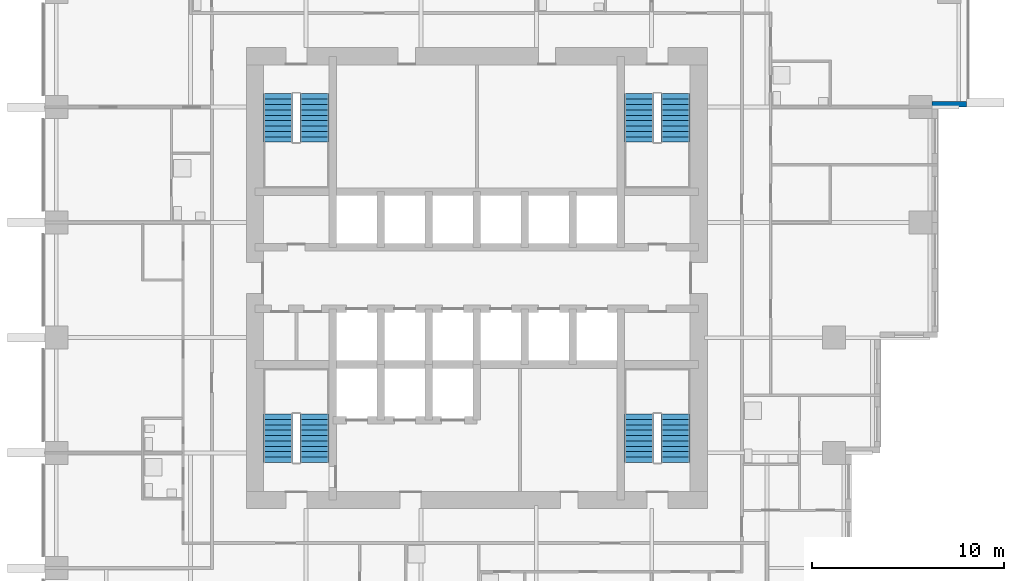
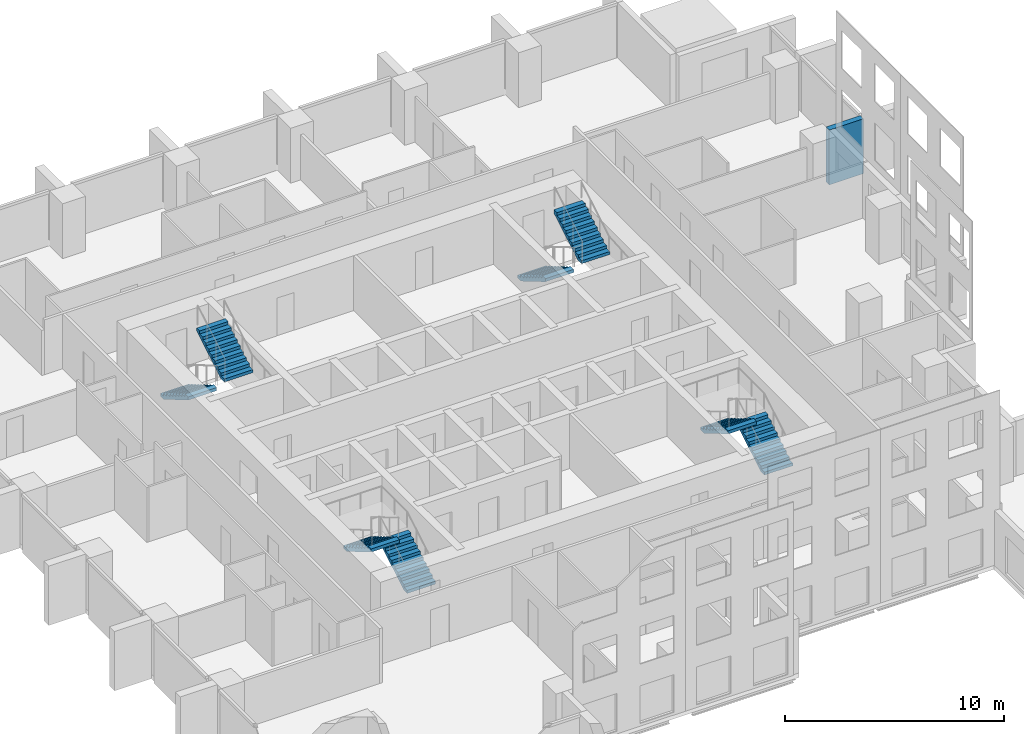
# One storey, part 8 of 11: 8 stair flights, 1 wall, 4 elements without a shape of their own.
"""IFC4 building model written with IfcOpenShell, lengths in metres."""

from ifc_helpers import new_model, si_unit, direction, frame, frame_2d, origin, place, context, subcontext, project, spatial, polyline, rectangle, outline, extrude, material, layer, layer_set, type_object, element, aggregate, save


model = new_model("IFC4")

# Units and contexts
model_context = context("Model", 3, precision=1e-05, world=origin(), true_north=direction((0.0, 1.0)))
body_context = subcontext(model_context, "Body", "Model", "MODEL_VIEW")
ifc_project = project(units=[si_unit("LENGTHUNIT", "METRE"), si_unit("AREAUNIT", "SQUARE_METRE"), si_unit("VOLUMEUNIT", "CUBIC_METRE"), si_unit("PLANEANGLEUNIT", "RADIAN"), si_unit("MASSUNIT", "GRAM", prefix="KILO")], contexts=[model_context])

# Site, building, storey
site_placement = place(None, origin())
site = spatial("IfcSite", under=ifc_project, at=site_placement, CompositionType="ELEMENT")
building_placement = place(site_placement, origin())
building = spatial("IfcBuilding", under=site, at=building_placement, Name="Amberfall Residences", CompositionType="ELEMENT")
storey_placement = place(building_placement, frame((0.0, 0.0, 33.39990234375)))
storey = spatial("IfcBuildingStorey", under=building, at=storey_placement, Name="L08", CompositionType="ELEMENT", Elevation=33.39990234375)

# Wall
ifc_material_1 = material(Name="Pale stone cladding on insulated backing", Category="masonry")
ifc_layer = layer(ifc_material_1, 0.300048828125)
ifc_layer_set = layer_set([ifc_layer], Name="Bronze clad wall 300")
wall_type = type_object("IfcWallType", Name="Bronze clad wall 300", PredefinedType="SOLIDWALL", material=ifc_layer_set)
wall_placement = place(storey_placement, frame((98.199951171875, 54.550048828125, 0.0), z_axis=(0.0, 0.0, 1.0), x_axis=(1.0, 0.0, 0.0)))
element("IfcWall", 1, at=wall_placement, inside=storey, type_object=wall_type, Name="External wall L08 E", PredefinedType="SOLIDWALL", context=body_context, shape_type="SweptSolid", body=[
    extrude(rectangle(XDim=1.800048828125, YDim=0.300048828125, at=frame_2d((0.89990234375, 0.0))), origin(), (0.0, 0.0, 1.0), 3.050048828125),
])

# Stair, stair flights
ifc_material_2 = material(Name="Concrete C40", Category="concrete")
stair_type = type_object("IfcStairType", Name="Exit stair 20 risers 165.0 mm", PredefinedType="HALF_TURN_STAIR", material=ifc_material_2)
stair_1_placement = place(storey_placement, origin())
stair_1 = element("IfcStair", 2, at=stair_1_placement, inside=storey, type_object=stair_type, Name="L08 Exit stair 1", PredefinedType="HALF_TURN_STAIR")
stair_flight_type = type_object("IfcStairFlightType", Name="Stair flight 10 risers 165.0 mm", PredefinedType="STRAIGHT", material=ifc_material_2)
stair_flight_1_placement = place(storey_placement, frame((66.050048828125, 35.89990234375, 0.0), z_axis=(0.0, 0.0, 1.0), x_axis=(0.0, 1.0, 0.0)))
stair_flight_1 = element("IfcStairFlight", 3, at=stair_flight_1_placement, type_object=stair_flight_type, Name="ST3 flight 1", NumberOfRisers=10, NumberOfTreads=9, PredefinedType="STRAIGHT", RiserHeight=0.165, TreadLength=0.28, context=body_context, shape_type="SweptSolid", body=[
    extrude(outline(polyline([(0.0, 0.0), (0.0, 0.1650390625), (0.280029296875, 0.1650390625), (0.280029296875, 0.330078125), (0.56005859375, 0.330078125), (0.56005859375, 0.4951171875), (0.840087890625, 0.4951171875), (0.840087890625, 0.659912109375), (1.1201171875, 0.659912109375), (1.1201171875, 0.824951171875), (1.39990234375, 0.824951171875), (1.39990234375, 0.989990234375), (1.679931640625, 0.989990234375), (1.679931640625, 1.155029296875), (1.9599609375, 1.155029296875), (1.9599609375, 1.320068359375), (2.239990234375, 1.320068359375), (2.239990234375, 1.485107421875), (2.52001953125, 1.485107421875), (2.52001953125, 1.64990234375), (2.52001953125, 1.31103515625), (0.295166015625, 0.0), (0.0, 0.0)])), frame((0.0, 0.75, 0.0), z_axis=(0.0, -1.0, 0.0), x_axis=(1.0, 0.0, 0.0)), (0.0, 0.0, 1.0), 1.5),
])
stair_flight_2_placement = place(storey_placement, frame((64.14990234375, 38.419921875, 1.650146484375), z_axis=(0.0, 0.0, 1.0), x_axis=(0.0, -1.0, 0.0)))
stair_flight_2 = element("IfcStairFlight", 4, at=stair_flight_2_placement, type_object=stair_flight_type, Name="ST3 flight 2", NumberOfRisers=10, NumberOfTreads=9, PredefinedType="STRAIGHT", RiserHeight=0.165, TreadLength=0.28, context=body_context, shape_type="SweptSolid", body=[
    extrude(outline(polyline([(0.0, 0.0), (0.0, 0.1650390625), (0.280029296875, 0.1650390625), (0.280029296875, 0.330078125), (0.56005859375, 0.330078125), (0.56005859375, 0.4951171875), (0.840087890625, 0.4951171875), (0.840087890625, 0.659912109375), (1.1201171875, 0.659912109375), (1.1201171875, 0.824951171875), (1.39990234375, 0.824951171875), (1.39990234375, 0.989990234375), (1.679931640625, 0.989990234375), (1.679931640625, 1.155029296875), (1.9599609375, 1.155029296875), (1.9599609375, 1.320068359375), (2.239990234375, 1.320068359375), (2.239990234375, 1.485107421875), (2.52001953125, 1.485107421875), (2.52001953125, 1.64990234375), (2.52001953125, 1.31103515625), (0.295166015625, 0.0), (0.0, 0.0)])), frame((0.0, 0.75, 0.0), z_axis=(0.0, -1.0, 0.0), x_axis=(1.0, 0.0, 0.0)), (0.0, 0.0, 1.0), 1.5),
])
aggregate(stair_1, [stair_flight_1, stair_flight_2])

stair_2_placement = place(storey_placement, origin())
stair_2 = element("IfcStair", 5, at=stair_2_placement, inside=storey, type_object=stair_type, Name="L08 Exit stair 2", PredefinedType="HALF_TURN_STAIR")
stair_flight_3_placement = place(storey_placement, frame((84.85009765625, 35.89990234375, 0.0), z_axis=(0.0, 0.0, 1.0), x_axis=(0.0, 1.0, 0.0)))
stair_flight_3 = element("IfcStairFlight", 6, at=stair_flight_3_placement, type_object=stair_flight_type, Name="ST3 flight 1", NumberOfRisers=10, NumberOfTreads=9, PredefinedType="STRAIGHT", RiserHeight=0.165, TreadLength=0.28, context=body_context, shape_type="SweptSolid", body=[
    extrude(outline(polyline([(0.0, 0.0), (0.0, 0.1650390625), (0.280029296875, 0.1650390625), (0.280029296875, 0.330078125), (0.56005859375, 0.330078125), (0.56005859375, 0.4951171875), (0.840087890625, 0.4951171875), (0.840087890625, 0.659912109375), (1.1201171875, 0.659912109375), (1.1201171875, 0.824951171875), (1.39990234375, 0.824951171875), (1.39990234375, 0.989990234375), (1.679931640625, 0.989990234375), (1.679931640625, 1.155029296875), (1.9599609375, 1.155029296875), (1.9599609375, 1.320068359375), (2.239990234375, 1.320068359375), (2.239990234375, 1.485107421875), (2.52001953125, 1.485107421875), (2.52001953125, 1.64990234375), (2.52001953125, 1.31103515625), (0.295166015625, 0.0), (0.0, 0.0)])), frame((0.0, 0.75, 0.0), z_axis=(0.0, -1.0, 0.0), x_axis=(1.0, 0.0, 0.0)), (0.0, 0.0, 1.0), 1.5),
])
stair_flight_4_placement = place(storey_placement, frame((82.949951171875, 38.419921875, 1.650146484375), z_axis=(0.0, 0.0, 1.0), x_axis=(0.0, -1.0, 0.0)))
stair_flight_4 = element("IfcStairFlight", 7, at=stair_flight_4_placement, type_object=stair_flight_type, Name="ST3 flight 2", NumberOfRisers=10, NumberOfTreads=9, PredefinedType="STRAIGHT", RiserHeight=0.165, TreadLength=0.28, context=body_context, shape_type="SweptSolid", body=[
    extrude(outline(polyline([(0.0, 0.0), (0.0, 0.1650390625), (0.280029296875, 0.1650390625), (0.280029296875, 0.330078125), (0.56005859375, 0.330078125), (0.56005859375, 0.4951171875), (0.840087890625, 0.4951171875), (0.840087890625, 0.659912109375), (1.1201171875, 0.659912109375), (1.1201171875, 0.824951171875), (1.39990234375, 0.824951171875), (1.39990234375, 0.989990234375), (1.679931640625, 0.989990234375), (1.679931640625, 1.155029296875), (1.9599609375, 1.155029296875), (1.9599609375, 1.320068359375), (2.239990234375, 1.320068359375), (2.239990234375, 1.485107421875), (2.52001953125, 1.485107421875), (2.52001953125, 1.64990234375), (2.52001953125, 1.31103515625), (0.295166015625, 0.0), (0.0, 0.0)])), frame((0.0, 0.75, 0.0), z_axis=(0.0, -1.0, 0.0), x_axis=(1.0, 0.0, 0.0)), (0.0, 0.0, 1.0), 1.5),
])
aggregate(stair_2, [stair_flight_3, stair_flight_4])

stair_3_placement = place(storey_placement, origin())
stair_3 = element("IfcStair", 8, at=stair_3_placement, inside=storey, type_object=stair_type, Name="L08 Exit stair 3", PredefinedType="HALF_TURN_STAIR")
stair_flight_5_placement = place(storey_placement, frame((82.949951171875, 55.10009765625, 0.0), z_axis=(0.0, 0.0, 1.0), x_axis=(0.0, -1.0, 0.0)))
stair_flight_5 = element("IfcStairFlight", 9, at=stair_flight_5_placement, type_object=stair_flight_type, Name="ST3 flight 1", NumberOfRisers=10, NumberOfTreads=9, PredefinedType="STRAIGHT", RiserHeight=0.165, TreadLength=0.28, context=body_context, shape_type="SweptSolid", body=[
    extrude(outline(polyline([(0.0, 0.0), (0.0, 0.1650390625), (0.280029296875, 0.1650390625), (0.280029296875, 0.330078125), (0.56005859375, 0.330078125), (0.56005859375, 0.4951171875), (0.840087890625, 0.4951171875), (0.840087890625, 0.659912109375), (1.1201171875, 0.659912109375), (1.1201171875, 0.824951171875), (1.39990234375, 0.824951171875), (1.39990234375, 0.989990234375), (1.679931640625, 0.989990234375), (1.679931640625, 1.155029296875), (1.9599609375, 1.155029296875), (1.9599609375, 1.320068359375), (2.239990234375, 1.320068359375), (2.239990234375, 1.485107421875), (2.52001953125, 1.485107421875), (2.52001953125, 1.64990234375), (2.52001953125, 1.31103515625), (0.295166015625, 0.0), (0.0, 0.0)])), frame((0.0, 0.75, 0.0), z_axis=(0.0, -1.0, 0.0), x_axis=(1.0, 0.0, 0.0)), (0.0, 0.0, 1.0), 1.5),
])
stair_flight_6_placement = place(storey_placement, frame((84.85009765625, 52.580078125, 1.650146484375), z_axis=(0.0, 0.0, 1.0), x_axis=(0.0, 1.0, 0.0)))
stair_flight_6 = element("IfcStairFlight", 10, at=stair_flight_6_placement, type_object=stair_flight_type, Name="ST3 flight 2", NumberOfRisers=10, NumberOfTreads=9, PredefinedType="STRAIGHT", RiserHeight=0.165, TreadLength=0.28, context=body_context, shape_type="SweptSolid", body=[
    extrude(outline(polyline([(0.0, 0.0), (0.0, 0.1650390625), (0.280029296875, 0.1650390625), (0.280029296875, 0.330078125), (0.56005859375, 0.330078125), (0.56005859375, 0.4951171875), (0.840087890625, 0.4951171875), (0.840087890625, 0.659912109375), (1.1201171875, 0.659912109375), (1.1201171875, 0.824951171875), (1.39990234375, 0.824951171875), (1.39990234375, 0.989990234375), (1.679931640625, 0.989990234375), (1.679931640625, 1.155029296875), (1.9599609375, 1.155029296875), (1.9599609375, 1.320068359375), (2.239990234375, 1.320068359375), (2.239990234375, 1.485107421875), (2.52001953125, 1.485107421875), (2.52001953125, 1.64990234375), (2.52001953125, 1.31103515625), (0.295166015625, 0.0), (0.0, 0.0)])), frame((0.0, 0.75, 0.0), z_axis=(0.0, -1.0, 0.0), x_axis=(1.0, 0.0, 0.0)), (0.0, 0.0, 1.0), 1.5),
])
aggregate(stair_3, [stair_flight_5, stair_flight_6])

stair_4_placement = place(storey_placement, origin())
stair_4 = element("IfcStair", 11, at=stair_4_placement, inside=storey, type_object=stair_type, Name="L08 Exit stair 4", PredefinedType="HALF_TURN_STAIR")
stair_flight_7_placement = place(storey_placement, frame((64.14990234375, 55.10009765625, 0.0), z_axis=(0.0, 0.0, 1.0), x_axis=(0.0, -1.0, 0.0)))
stair_flight_7 = element("IfcStairFlight", 12, at=stair_flight_7_placement, type_object=stair_flight_type, Name="ST3 flight 1", NumberOfRisers=10, NumberOfTreads=9, PredefinedType="STRAIGHT", RiserHeight=0.165, TreadLength=0.28, context=body_context, shape_type="SweptSolid", body=[
    extrude(outline(polyline([(0.0, 0.0), (0.0, 0.1650390625), (0.280029296875, 0.1650390625), (0.280029296875, 0.330078125), (0.56005859375, 0.330078125), (0.56005859375, 0.4951171875), (0.840087890625, 0.4951171875), (0.840087890625, 0.659912109375), (1.1201171875, 0.659912109375), (1.1201171875, 0.824951171875), (1.39990234375, 0.824951171875), (1.39990234375, 0.989990234375), (1.679931640625, 0.989990234375), (1.679931640625, 1.155029296875), (1.9599609375, 1.155029296875), (1.9599609375, 1.320068359375), (2.239990234375, 1.320068359375), (2.239990234375, 1.485107421875), (2.52001953125, 1.485107421875), (2.52001953125, 1.64990234375), (2.52001953125, 1.31103515625), (0.295166015625, 0.0), (0.0, 0.0)])), frame((0.0, 0.75, 0.0), z_axis=(0.0, -1.0, 0.0), x_axis=(1.0, 0.0, 0.0)), (0.0, 0.0, 1.0), 1.5),
])
stair_flight_8_placement = place(storey_placement, frame((66.050048828125, 52.580078125, 1.650146484375), z_axis=(0.0, 0.0, 1.0), x_axis=(0.0, 1.0, 0.0)))
stair_flight_8 = element("IfcStairFlight", 13, at=stair_flight_8_placement, type_object=stair_flight_type, Name="ST3 flight 2", NumberOfRisers=10, NumberOfTreads=9, PredefinedType="STRAIGHT", RiserHeight=0.165, TreadLength=0.28, context=body_context, shape_type="SweptSolid", body=[
    extrude(outline(polyline([(0.0, 0.0), (0.0, 0.1650390625), (0.280029296875, 0.1650390625), (0.280029296875, 0.330078125), (0.56005859375, 0.330078125), (0.56005859375, 0.4951171875), (0.840087890625, 0.4951171875), (0.840087890625, 0.659912109375), (1.1201171875, 0.659912109375), (1.1201171875, 0.824951171875), (1.39990234375, 0.824951171875), (1.39990234375, 0.989990234375), (1.679931640625, 0.989990234375), (1.679931640625, 1.155029296875), (1.9599609375, 1.155029296875), (1.9599609375, 1.320068359375), (2.239990234375, 1.320068359375), (2.239990234375, 1.485107421875), (2.52001953125, 1.485107421875), (2.52001953125, 1.64990234375), (2.52001953125, 1.31103515625), (0.295166015625, 0.0), (0.0, 0.0)])), frame((0.0, 0.75, 0.0), z_axis=(0.0, -1.0, 0.0), x_axis=(1.0, 0.0, 0.0)), (0.0, 0.0, 1.0), 1.5),
])
aggregate(stair_4, [stair_flight_7, stair_flight_8])

save(model, "model.ifc")
